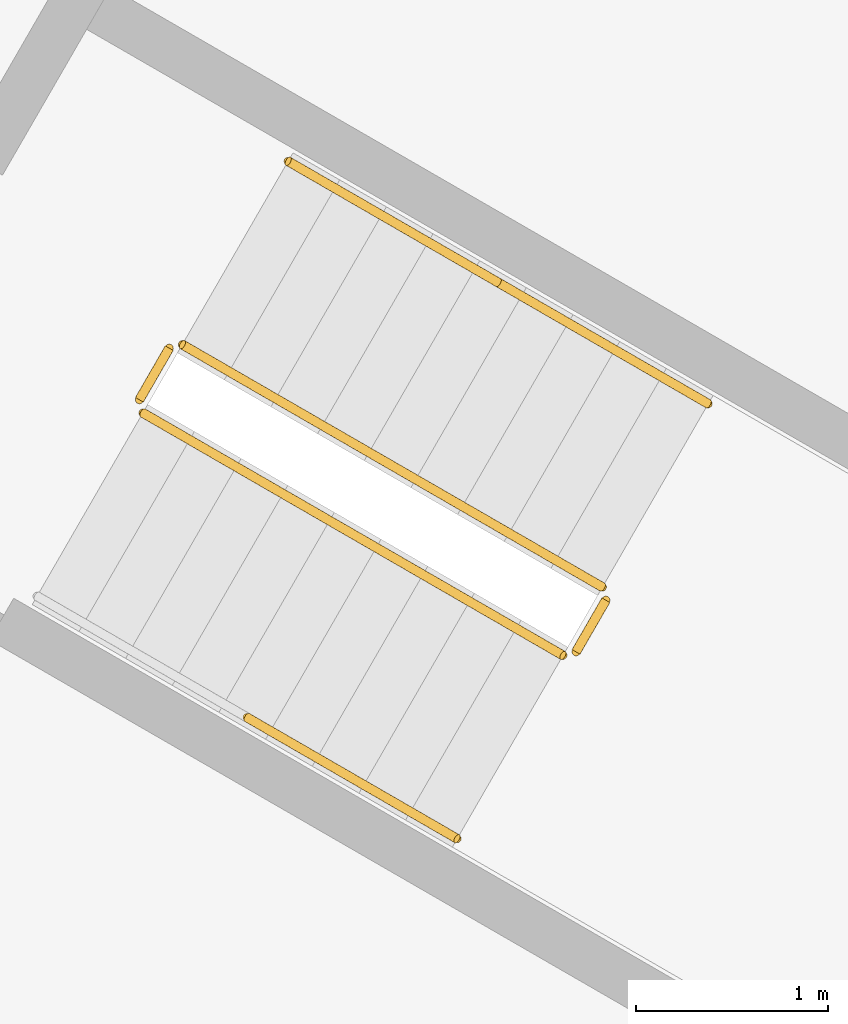
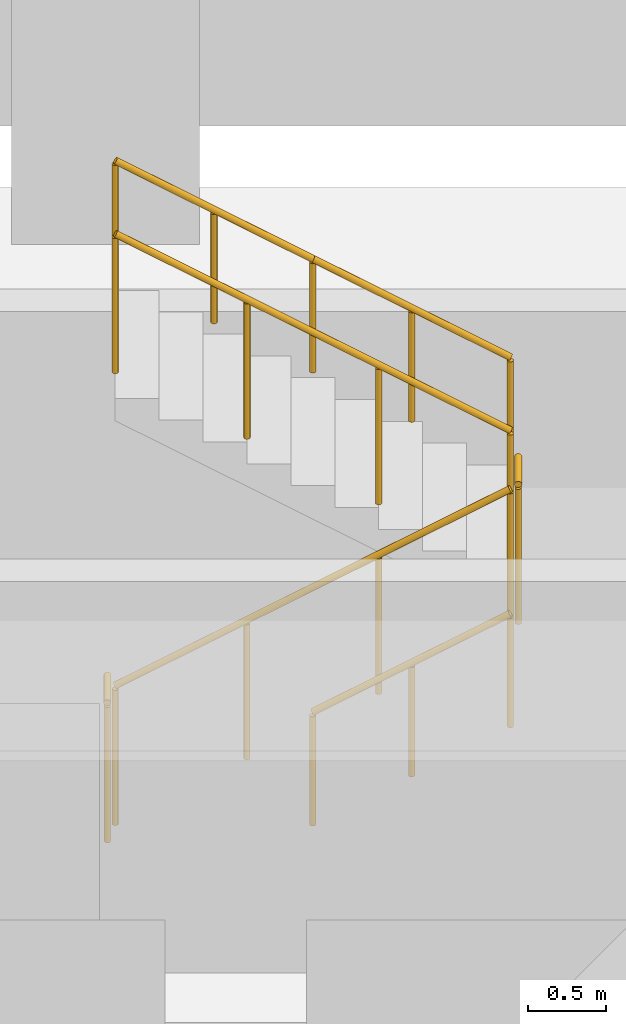
# One storey, part 19 of 19: 7 railings.
"""IFC4 building model written with IfcOpenShell, lengths in metres."""

from ifc_helpers import new_model, si_unit, direction, frame, origin, origin_2d, place, context, subcontext, project, spatial, circle, extrude, material, type_object, element, save


model = new_model("IFC4")

# Units and contexts
model_context = context("Model", 3, precision=1e-05, world=origin(), true_north=direction((0.0, 1.0)))
body_context = subcontext(model_context, "Body", "Model", "MODEL_VIEW")
ifc_project = project(units=[si_unit("LENGTHUNIT", "METRE"), si_unit("AREAUNIT", "SQUARE_METRE"), si_unit("VOLUMEUNIT", "CUBIC_METRE"), si_unit("PLANEANGLEUNIT", "RADIAN"), si_unit("MASSUNIT", "GRAM", prefix="KILO")], contexts=[model_context])

# Site, building, storey
site_placement = place(None, origin())
site = spatial("IfcSite", under=ifc_project, at=site_placement, CompositionType="ELEMENT")
building_placement = place(site_placement, origin())
building = spatial("IfcBuilding", under=site, at=building_placement, Name="Ayvan Gate Tower", CompositionType="ELEMENT")
storey_placement = place(building_placement, frame((0.0, 0.0, 52.699951171875)))
storey = spatial("IfcBuildingStorey", under=building, at=storey_placement, Name="L13", CompositionType="ELEMENT", Elevation=52.699951171875)

# Railings
ifc_material = material(Name="Stainless steel balustrade", Category="steel")
railing_type_1 = type_object("IfcRailingType", Name="RL-GUARD-1100", PredefinedType="GUARDRAIL", material=ifc_material)
railing_1_placement = place(storey_placement, frame((8.381103515625, 10.16650390625, 0.170166015625)))
element("IfcRailing", 1, at=railing_1_placement, inside=storey, type_object=railing_type_1, Name="L13 STS1 stair guard 1", PredefinedType="GUARDRAIL", context=body_context, shape_type="SweptSolid", body=[
    extrude(circle(Radius=0.02392578125, at=origin_2d()), frame((0.0, 0.0, 1.076171875), z_axis=(0.740292969978, -0.427413806696, 0.51892557891), x_axis=(0.500004791531, 0.866022637375, 0.0)), (0.0, 0.0, 1.0), 2.947998046875),
    extrude(circle(Radius=0.02099609375, at=origin_2d()), origin(), (0.0, 0.0, 1.0), 1.052001953125),
    extrude(circle(Radius=0.02099609375, at=origin_2d()), frame((0.7275390625, -0.419921875, 0.510009765625)), (0.0, 0.0, 1.0), 1.052001953125),
    extrude(circle(Radius=0.02099609375, at=origin_2d()), frame((1.454833984375, -0.840087890625, 1.019775390625)), (0.0, 0.0, 1.0), 1.052001953125),
    extrude(circle(Radius=0.02099609375, at=origin_2d()), frame((2.182373046875, -1.260009765625, 1.52978515625)), (0.0, 0.0, 1.0), 1.052001953125),
])
railing_2_placement = place(storey_placement, frame((10.6318359375, 8.9248046875, 1.699951171875)))
element("IfcRailing", 2, at=railing_2_placement, inside=storey, type_object=railing_type_1, Name="L13 STS1 stair guard 2", PredefinedType="GUARDRAIL", context=body_context, shape_type="SweptSolid", body=[
    extrude(circle(Radius=0.02392578125, at=origin_2d()), frame((0.0, 0.0, 1.076171875), z_axis=(0.499949632511, 0.866054481515, 0.0), x_axis=(-0.866054481515, 0.499949632511, 0.0)), (0.0, 0.0, 1.0), 0.31005859375),
    extrude(circle(Radius=0.02099609375, at=origin_2d()), origin(), (0.0, 0.0, 1.0), 1.052001953125),
    extrude(circle(Radius=0.02099609375, at=origin_2d()), frame((0.155029296875, 0.2685546875, 0.0)), (0.0, 0.0, 1.0), 1.052001953125),
])
railing_3_placement = place(storey_placement, frame((10.7685546875, 9.261474609375, 1.8701171875)))
element("IfcRailing", 3, at=railing_3_placement, inside=storey, type_object=railing_type_1, Name="L13 STS1 stair guard 3", PredefinedType="GUARDRAIL", context=body_context, shape_type="SweptSolid", body=[
    extrude(circle(Radius=0.02392578125, at=origin_2d()), frame((0.0, 0.0, 1.076171875), z_axis=(-0.740261155115, 0.427395438142, 0.518986090067), x_axis=(-0.500004791531, -0.866022637375, 0.0)), (0.0, 0.0, 1.0), 2.947998046875),
    extrude(circle(Radius=0.02099609375, at=origin_2d()), origin(), (0.0, 0.0, 1.0), 1.052001953125),
    extrude(circle(Radius=0.02099609375, at=origin_2d()), frame((-0.7275390625, 0.419921875, 0.510009765625)), (0.0, 0.0, 1.0), 1.052001953125),
    extrude(circle(Radius=0.02099609375, at=origin_2d()), frame((-1.454833984375, 0.840087890625, 1.02001953125)), (0.0, 0.0, 1.0), 1.052001953125),
    extrude(circle(Radius=0.02099609375, at=origin_2d()), frame((-2.182373046875, 1.260009765625, 1.530029296875)), (0.0, 0.0, 1.0), 1.052001953125),
])
railing_4_placement = place(storey_placement, frame((8.36279296875, 10.23486328125, 0.0)))
element("IfcRailing", 4, at=railing_4_placement, inside=storey, type_object=railing_type_1, Name="L13 STS1 stair guard 4", PredefinedType="GUARDRAIL", context=body_context, shape_type="SweptSolid", body=[
    extrude(circle(Radius=0.02392578125, at=origin_2d()), frame((0.0, 0.0, 1.076171875), z_axis=(0.500290723946, 0.86585748916, 0.0), x_axis=(-0.86585748916, 0.500290723946, 0.0)), (0.0, 0.0, 1.0), 0.309814453125),
    extrude(circle(Radius=0.02099609375, at=origin_2d()), origin(), (0.0, 0.0, 1.0), 1.052001953125),
    extrude(circle(Radius=0.02099609375, at=origin_2d()), frame((0.155029296875, 0.268310546875, 0.0)), (0.0, 0.0, 1.0), 1.052001953125),
])
railing_type_2 = type_object("IfcRailingType", Name="RL-HANDRAIL-900", PredefinedType="HANDRAIL", material=ifc_material)
railing_5_placement = place(storey_placement, frame((8.92236328125, 8.583984375, 0.93505859375)))
element("IfcRailing", 5, at=railing_5_placement, inside=storey, type_object=railing_type_2, Name="L13 STS1 stair handrail 2", PredefinedType="HANDRAIL", context=body_context, shape_type="SweptSolid", body=[
    extrude(circle(Radius=0.02392578125, at=origin_2d()), frame((0.0, 0.0, 0.8759765625), z_axis=(0.740229329464, -0.427507697325, 0.518939021976), x_axis=(0.50011940292, 0.865956455501, 0.0)), (0.0, 0.0, 1.0), 1.473876953125),
    extrude(circle(Radius=0.02099609375, at=origin_2d()), origin(), (0.0, 0.0, 1.0), 0.851806640625),
    extrude(circle(Radius=0.02099609375, at=origin_2d()), frame((0.54541015625, -0.31494140625, 0.38232421875)), (0.0, 0.0, 1.0), 0.851806640625),
    extrude(circle(Radius=0.02099609375, at=origin_2d()), frame((1.091064453125, -0.630126953125, 0.764892578125)), (0.0, 0.0, 1.0), 0.851806640625),
])
railing_6_placement = place(storey_placement, frame((11.318603515625, 10.214111328125, 1.8701171875)))
element("IfcRailing", 6, at=railing_6_placement, inside=storey, type_object=railing_type_2, Name="L13 STS1 stair handrail 3", PredefinedType="HANDRAIL", context=body_context, shape_type="SweptSolid", body=[
    extrude(circle(Radius=0.02392578125, at=origin_2d()), frame((0.0, 0.0, 0.8759765625), z_axis=(-0.740304193401, 0.427455284825, 0.518875399983), x_axis=(-0.500035496587, -0.86600490885, 0.0)), (0.0, 0.0, 1.0), 1.47412109375),
    extrude(circle(Radius=0.02099609375, at=origin_2d()), origin(), (0.0, 0.0, 1.0), 0.851806640625),
    extrude(circle(Radius=0.02099609375, at=origin_2d()), frame((-0.545654296875, 0.31494140625, 0.38232421875)), (0.0, 0.0, 1.0), 0.851806640625),
    extrude(circle(Radius=0.02099609375, at=origin_2d()), frame((-1.09130859375, 0.630126953125, 0.764892578125)), (0.0, 0.0, 1.0), 0.851806640625),
])
railing_7_placement = place(storey_placement, frame((10.227294921875, 10.84423828125, 2.635009765625)))
element("IfcRailing", 7, at=railing_7_placement, inside=storey, type_object=railing_type_2, Name="L13 STS1 stair handrail 4", PredefinedType="HANDRAIL", context=body_context, shape_type="SweptSolid", body=[
    extrude(circle(Radius=0.02392578125, at=origin_2d()), frame((0.0, 0.0, 0.8759765625), z_axis=(-0.740292964666, 0.42728318766, 0.519033143459), x_axis=(-0.499890179513, -0.866088799389, 0.0)), (0.0, 0.0, 1.0), 1.47412109375),
    extrude(circle(Radius=0.02099609375, at=origin_2d()), origin(), (0.0, 0.0, 1.0), 0.851806640625),
    extrude(circle(Radius=0.02099609375, at=origin_2d()), frame((-0.545654296875, 0.31494140625, 0.382568359375)), (0.0, 0.0, 1.0), 0.851806640625),
    extrude(circle(Radius=0.02099609375, at=origin_2d()), frame((-1.09130859375, 0.6298828125, 0.76513671875)), (0.0, 0.0, 1.0), 0.851806640625),
])

save(model, "model.ifc")
